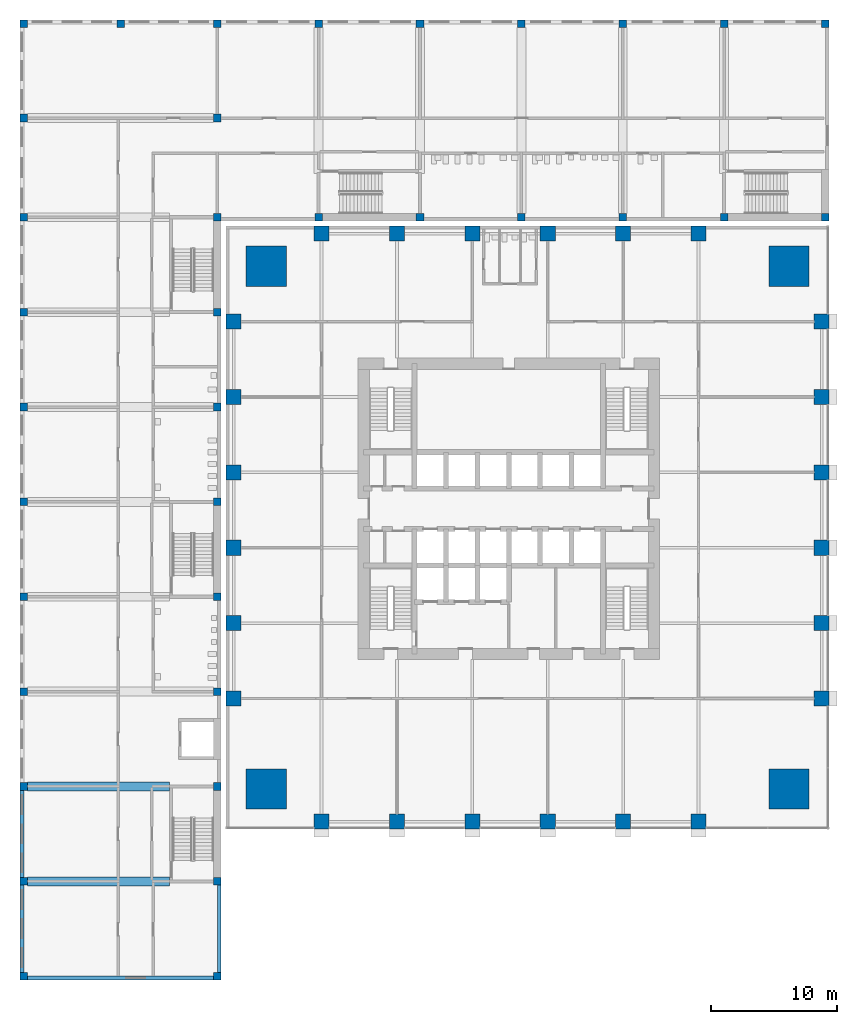
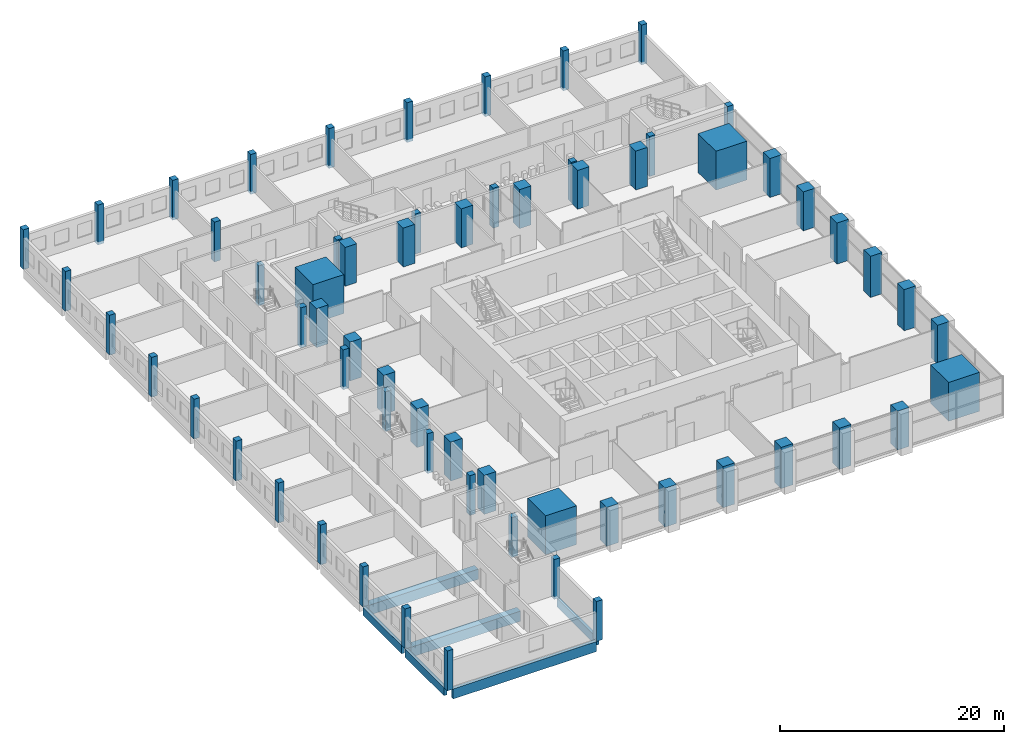
# One storey, part 1 of 24: 63 columns, 6 beams.
"""IFC4 building model written with IfcOpenShell, lengths in metres."""

from ifc_helpers import new_model, si_unit, direction, frame, origin, origin_2d, place, context, subcontext, project, spatial, rectangle, extrude, material, material_profile, profile_set, type_object, element, save


model = new_model("IFC4")

# Units and contexts
model_context = context("Model", 3, precision=1e-05, world=origin(), true_north=direction((0.0, 1.0)))
body_context = subcontext(model_context, "Body", "Model", "MODEL_VIEW")
ifc_project = project(units=[si_unit("LENGTHUNIT", "METRE"), si_unit("AREAUNIT", "SQUARE_METRE"), si_unit("VOLUMEUNIT", "CUBIC_METRE"), si_unit("PLANEANGLEUNIT", "RADIAN"), si_unit("MASSUNIT", "GRAM", prefix="KILO")], contexts=[model_context])

# Site, building, storey
site_placement = place(None, origin())
site = spatial("IfcSite", under=ifc_project, at=site_placement, CompositionType="ELEMENT")
building_placement = place(site_placement, origin())
building = spatial("IfcBuilding", under=site, at=building_placement, Name="Amberfall Residences", CompositionType="ELEMENT")
storey_placement = place(building_placement, frame((0.0, 0.0, 19.0)))
storey = spatial("IfcBuildingStorey", under=building, at=storey_placement, Name="L04", CompositionType="ELEMENT", Elevation=19.0)

# Columns
ifc_material_1 = material(Name="Concrete C80", Category="concrete")
ifc_material_profile_1 = material_profile(ifc_material_1, rectangle(XDim=1.199951171875, YDim=1.199951171875, at=origin_2d()), Name="Column 1200 x 1200 C80")
ifc_profile_set_1 = profile_set([ifc_material_profile_1], Name="Concrete C80")
column_type_1 = type_object("IfcColumnType", Name="Column 1200 x 1200 C80", PredefinedType="COLUMN", material=ifc_profile_set_1)
for number, where, z_axis, x_axis, name in (
    (1, (59.60009765625, 20.60009765625, 0.0), (0.0, 0.0, 1.0), (1.0, 0.0, 0.0), "Column C1 L04 S1"),
    (2, (65.60009765625, 20.60009765625, 0.0), (0.0, 0.0, 1.0), (1.0, 0.0, 0.0), "Column C1 L04 S2"),
):
    element("IfcColumn", number, at=place(storey_placement, frame(where, z_axis=z_axis, x_axis=x_axis)), inside=storey, type_object=column_type_1, Name=name, PredefinedType="COLUMN", context=body_context, shape_type="SweptSolid", body=[
        extrude(rectangle(XDim=1.199951171875, YDim=1.199951171875, at=origin_2d()), origin(), (0.0, 0.0, 1.0), 4.25),
    ])
for number, where, z_axis, x_axis, name in (
    (3, (71.60009765625, 20.60009765625, 0.0), (0.0, 0.0, 1.0), (1.0, 0.0, 0.0), "Column C1 L04 S3"),
    (4, (77.60009765625, 20.60009765625, 0.0), (0.0, 0.0, 1.0), (1.0, 0.0, 0.0), "Column C1 L04 S4"),
    (5, (83.60009765625, 20.60009765625, 0.0), (0.0, 0.0, 1.0), (1.0, 0.0, 0.0), "Column C1 L04 S5"),
):
    element("IfcColumn", number, at=place(storey_placement, frame(where, z_axis=z_axis, x_axis=x_axis)), inside=storey, type_object=column_type_1, Name=name, PredefinedType="COLUMN", context=body_context, shape_type="SweptSolid", body=[
        extrude(rectangle(XDim=1.199951171875, YDim=1.199951171875, at=origin_2d()), origin(), (0.0, 0.0, 1.0), 4.5),
    ])
for number, where, z_axis, x_axis, name in (
    (6, (89.60009765625, 20.60009765625, 0.0), (0.0, 0.0, 1.0), (1.0, 0.0, 0.0), "Column C1 L04 S6"),
    (7, (99.39990234375, 30.39990234375, 0.0), (0.0, 0.0, 1.0), (1.0, 0.0, 0.0), "Column C1 L04 E1"),
):
    element("IfcColumn", number, at=place(storey_placement, frame(where, z_axis=z_axis, x_axis=x_axis)), inside=storey, type_object=column_type_1, Name=name, PredefinedType="COLUMN", context=body_context, shape_type="SweptSolid", body=[
        extrude(rectangle(XDim=1.199951171875, YDim=1.199951171875, at=origin_2d()), origin(), (0.0, 0.0, 1.0), 4.25),
    ])
for number, where, z_axis, x_axis, name in (
    (8, (99.39990234375, 36.39990234375, 0.0), (0.0, 0.0, 1.0), (1.0, 0.0, 0.0), "Column C1 L04 E2"),
    (9, (99.39990234375, 42.39990234375, 0.0), (0.0, 0.0, 1.0), (1.0, 0.0, 0.0), "Column C1 L04 E3"),
    (10, (99.39990234375, 48.39990234375, 0.0), (0.0, 0.0, 1.0), (1.0, 0.0, 0.0), "Column C1 L04 E4"),
):
    element("IfcColumn", number, at=place(storey_placement, frame(where, z_axis=z_axis, x_axis=x_axis)), inside=storey, type_object=column_type_1, Name=name, PredefinedType="COLUMN", context=body_context, shape_type="SweptSolid", body=[
        extrude(rectangle(XDim=1.199951171875, YDim=1.199951171875, at=origin_2d()), origin(), (0.0, 0.0, 1.0), 4.5),
    ])
for number, where, z_axis, x_axis, name in (
    (11, (99.39990234375, 54.39990234375, 0.0), (0.0, 0.0, 1.0), (1.0, 0.0, 0.0), "Column C1 L04 E5"),
    (12, (99.39990234375, 60.39990234375, 0.0), (0.0, 0.0, 1.0), (1.0, 0.0, 0.0), "Column C1 L04 E6"),
    (13, (59.60009765625, 67.39990234375, 0.0), (0.0, 0.0, 1.0), (1.0, 0.0, 0.0), "Column C1 L04 N1"),
    (14, (65.60009765625, 67.39990234375, 0.0), (0.0, 0.0, 1.0), (1.0, 0.0, 0.0), "Column C1 L04 N2"),
    (15, (71.60009765625, 67.39990234375, 0.0), (0.0, 0.0, 1.0), (1.0, 0.0, 0.0), "Column C1 L04 N3"),
    (16, (77.60009765625, 67.39990234375, 0.0), (0.0, 0.0, 1.0), (1.0, 0.0, 0.0), "Column C1 L04 N4"),
    (17, (83.60009765625, 67.39990234375, 0.0), (0.0, 0.0, 1.0), (1.0, 0.0, 0.0), "Column C1 L04 N5"),
    (18, (89.60009765625, 67.39990234375, 0.0), (0.0, 0.0, 1.0), (1.0, 0.0, 0.0), "Column C1 L04 N6"),
    (19, (52.60009765625, 30.39990234375, 0.0), (0.0, 0.0, 1.0), (1.0, 0.0, 0.0), "Column C1 L04 W1"),
    (20, (52.60009765625, 36.39990234375, 0.0), (0.0, 0.0, 1.0), (1.0, 0.0, 0.0), "Column C1 L04 W2"),
    (21, (52.60009765625, 42.39990234375, 0.0), (0.0, 0.0, 1.0), (1.0, 0.0, 0.0), "Column C1 L04 W3"),
    (22, (52.60009765625, 48.39990234375, 0.0), (0.0, 0.0, 1.0), (1.0, 0.0, 0.0), "Column C1 L04 W4"),
    (23, (52.60009765625, 54.39990234375, 0.0), (0.0, 0.0, 1.0), (1.0, 0.0, 0.0), "Column C1 L04 W5"),
    (24, (52.60009765625, 60.39990234375, 0.0), (0.0, 0.0, 1.0), (1.0, 0.0, 0.0), "Column C1 L04 W6"),
):
    element("IfcColumn", number, at=place(storey_placement, frame(where, z_axis=z_axis, x_axis=x_axis)), inside=storey, type_object=column_type_1, Name=name, PredefinedType="COLUMN", context=body_context, shape_type="SweptSolid", body=[
        extrude(rectangle(XDim=1.199951171875, YDim=1.199951171875, at=origin_2d()), origin(), (0.0, 0.0, 1.0), 4.25),
    ])
ifc_material_profile_2 = material_profile(ifc_material_1, rectangle(XDim=3.199951171875, YDim=3.199951171875, at=origin_2d()), Name="Mega column 3200 x 3200 C80")
ifc_profile_set_2 = profile_set([ifc_material_profile_2], Name="Concrete C80")
column_type_2 = type_object("IfcColumnType", Name="Mega column 3200 x 3200 C80", PredefinedType="COLUMN", material=ifc_profile_set_2)
for number, where, z_axis, x_axis, name in (
    (25, (55.199951171875, 23.199951171875, 0.0), (0.0, 0.0, 1.0), (1.0, 0.0, 0.0), "Mega column MC1 L04 SW"),
    (26, (96.800048828125, 23.199951171875, 0.0), (0.0, 0.0, 1.0), (1.0, 0.0, 0.0), "Mega column MC1 L04 SE"),
    (27, (96.800048828125, 64.800048828125, 0.0), (0.0, 0.0, 1.0), (1.0, 0.0, 0.0), "Mega column MC1 L04 NE"),
    (28, (55.199951171875, 64.800048828125, 0.0), (0.0, 0.0, 1.0), (1.0, 0.0, 0.0), "Mega column MC1 L04 NW"),
):
    element("IfcColumn", number, at=place(storey_placement, frame(where, z_axis=z_axis, x_axis=x_axis)), inside=storey, type_object=column_type_2, Name=name, PredefinedType="COLUMN", context=body_context, shape_type="SweptSolid", body=[
        extrude(rectangle(XDim=3.199951171875, YDim=3.199951171875, at=origin_2d()), origin(), (0.0, 0.0, 1.0), 4.25),
    ])
ifc_material_2 = material(Name="Concrete C40", Category="concrete")
ifc_material_profile_3 = material_profile(ifc_material_2, rectangle(XDim=0.60009765625, YDim=0.60009765625, at=origin_2d()), Name="School column 600 x 600 C40")
ifc_profile_set_3 = profile_set([ifc_material_profile_3], Name="Concrete C40")
column_type_3 = type_object("IfcColumnType", Name="School column 600 x 600 C40", PredefinedType="COLUMN", material=ifc_profile_set_3)
for number, where, z_axis, x_axis, name in (
    (29, (35.89990234375, 8.300048828125, -0.300048828125), (0.0, 0.0, 1.0), (1.0, 0.0, 0.0), "School column L04 01"),
    (30, (51.300048828125, 8.300048828125, -0.300048828125), (0.0, 0.0, 1.0), (1.0, 0.0, 0.0), "School column L04 02"),
    (31, (35.89990234375, 15.85009765625, -0.300048828125), (0.0, 0.0, 1.0), (1.0, 0.0, 0.0), "School column L04 03"),
    (32, (51.300048828125, 15.85009765625, -0.300048828125), (0.0, 0.0, 1.0), (1.0, 0.0, 0.0), "School column L04 04"),
    (33, (35.89990234375, 23.39990234375, -0.300048828125), (0.0, 0.0, 1.0), (1.0, 0.0, 0.0), "School column L04 05"),
    (34, (51.300048828125, 23.39990234375, -0.300048828125), (0.0, 0.0, 1.0), (1.0, 0.0, 0.0), "School column L04 06"),
    (35, (35.89990234375, 30.949951171875, -0.300048828125), (0.0, 0.0, 1.0), (1.0, 0.0, 0.0), "School column L04 07"),
    (36, (51.300048828125, 30.949951171875, -0.300048828125), (0.0, 0.0, 1.0), (1.0, 0.0, 0.0), "School column L04 08"),
    (37, (35.89990234375, 38.5, -0.300048828125), (0.0, 0.0, 1.0), (1.0, 0.0, 0.0), "School column L04 09"),
    (38, (51.300048828125, 38.5, -0.300048828125), (0.0, 0.0, 1.0), (1.0, 0.0, 0.0), "School column L04 10"),
    (39, (35.89990234375, 46.050048828125, -0.300048828125), (0.0, 0.0, 1.0), (1.0, 0.0, 0.0), "School column L04 11"),
    (40, (51.300048828125, 46.050048828125, -0.300048828125), (0.0, 0.0, 1.0), (1.0, 0.0, 0.0), "School column L04 12"),
    (41, (35.89990234375, 53.60009765625, -0.300048828125), (0.0, 0.0, 1.0), (1.0, 0.0, 0.0), "School column L04 13"),
    (42, (51.300048828125, 53.60009765625, -0.300048828125), (0.0, 0.0, 1.0), (1.0, 0.0, 0.0), "School column L04 14"),
    (43, (35.89990234375, 61.14990234375, -0.300048828125), (0.0, 0.0, 1.0), (1.0, 0.0, 0.0), "School column L04 15"),
    (44, (51.300048828125, 61.14990234375, -0.300048828125), (0.0, 0.0, 1.0), (1.0, 0.0, 0.0), "School column L04 16"),
    (45, (35.89990234375, 68.699951171875, -0.300048828125), (0.0, 0.0, 1.0), (1.0, 0.0, 0.0), "School column L04 17"),
    (46, (51.300048828125, 68.699951171875, -0.300048828125), (0.0, 0.0, 1.0), (1.0, 0.0, 0.0), "School column L04 18"),
    (47, (35.89990234375, 76.60009765625, -0.300048828125), (0.0, 0.0, 1.0), (1.0, 0.0, 0.0), "School column L04 19"),
    (48, (51.300048828125, 76.60009765625, -0.300048828125), (0.0, 0.0, 1.0), (1.0, 0.0, 0.0), "School column L04 20"),
    (49, (35.89990234375, 84.10009765625, -0.300048828125), (0.0, 0.0, 1.0), (1.0, 0.0, 0.0), "School column L04 21"),
    (50, (51.300048828125, 84.10009765625, -0.300048828125), (0.0, 0.0, 1.0), (1.0, 0.0, 0.0), "School column L04 22"),
    (51, (43.60009765625, 84.10009765625, -0.300048828125), (0.0, 0.0, 1.0), (1.0, 0.0, 0.0), "School column L04 23"),
    (52, (59.366943359375, 84.10009765625, -0.300048828125), (0.0, 0.0, 1.0), (1.0, 0.0, 0.0), "School column L04 24"),
    (53, (59.366943359375, 68.699951171875, -0.300048828125), (0.0, 0.0, 1.0), (1.0, 0.0, 0.0), "School column L04 25"),
    (54, (67.43310546875, 84.10009765625, -0.300048828125), (0.0, 0.0, 1.0), (1.0, 0.0, 0.0), "School column L04 26"),
    (55, (67.43310546875, 68.699951171875, -0.300048828125), (0.0, 0.0, 1.0), (1.0, 0.0, 0.0), "School column L04 27"),
    (56, (75.5, 84.10009765625, -0.300048828125), (0.0, 0.0, 1.0), (1.0, 0.0, 0.0), "School column L04 28"),
    (57, (75.5, 68.699951171875, -0.300048828125), (0.0, 0.0, 1.0), (1.0, 0.0, 0.0), "School column L04 29"),
    (58, (83.56689453125, 84.10009765625, -0.300048828125), (0.0, 0.0, 1.0), (1.0, 0.0, 0.0), "School column L04 30"),
    (59, (83.56689453125, 68.699951171875, -0.300048828125), (0.0, 0.0, 1.0), (1.0, 0.0, 0.0), "School column L04 31"),
    (60, (91.633056640625, 84.10009765625, -0.300048828125), (0.0, 0.0, 1.0), (1.0, 0.0, 0.0), "School column L04 32"),
    (61, (91.633056640625, 68.699951171875, -0.300048828125), (0.0, 0.0, 1.0), (1.0, 0.0, 0.0), "School column L04 33"),
    (62, (99.699951171875, 84.10009765625, -0.300048828125), (0.0, 0.0, 1.0), (1.0, 0.0, 0.0), "School column L04 34"),
):
    element("IfcColumn", number, at=place(storey_placement, frame(where, z_axis=z_axis, x_axis=x_axis)), inside=storey, type_object=column_type_3, Name=name, PredefinedType="COLUMN", context=body_context, shape_type="SweptSolid", body=[
        extrude(rectangle(XDim=0.60009765625, YDim=0.60009765625, at=origin_2d()), origin(), (0.0, 0.0, 1.0), 4.35009765625),
    ])
column_placement = place(storey_placement, frame((99.699951171875, 68.699951171875, -0.300048828125), z_axis=(0.0, 0.0, 1.0), x_axis=(1.0, 0.0, 0.0)))
element("IfcColumn", 63, at=column_placement, inside=storey, type_object=column_type_3, Name="School column L04 35", PredefinedType="COLUMN", context=body_context, shape_type="SweptSolid", body=[
    extrude(rectangle(XDim=0.60009765625, YDim=0.60009765625, at=origin_2d()), origin(), (0.0, 0.0, 1.0), 4.800048828125),
])

# Beams
ifc_material_profile_4 = material_profile(ifc_material_2, rectangle(XDim=0.699951171875, YDim=1.10009765625, at=origin_2d()), Name="School beam 700 x 1100 C40")
ifc_profile_set_4 = profile_set([ifc_material_profile_4], Name="Concrete C40")
beam_type_1 = type_object("IfcBeamType", Name="School beam 700 x 1100 C40", PredefinedType="BEAM", material=ifc_profile_set_4)
for number, where, z_axis, x_axis, name in (
    (64, (36.199951171875, 15.85009765625, -0.85009765625), (1.0, 0.0, 0.0), (0.0, 1.0, 0.0), "TW1"),
    (65, (36.199951171875, 23.39990234375, -0.85009765625), (1.0, 0.0, 0.0), (0.0, 1.0, 0.0), "TW2"),
):
    element("IfcBeam", number, at=place(storey_placement, frame(where, z_axis=z_axis, x_axis=x_axis)), inside=storey, type_object=beam_type_1, Name=name, PredefinedType="BEAM", context=body_context, shape_type="SweptSolid", body=[
        extrude(rectangle(XDim=0.699951171875, YDim=1.10009765625, at=origin_2d()), origin(), (0.0, 0.0, 1.0), 11.300048828125),
    ])
ifc_material_profile_5 = material_profile(ifc_material_2, rectangle(XDim=0.300048828125, YDim=0.89990234375, at=origin_2d()), Name="School edge beam 300 x 900 C40")
ifc_profile_set_5 = profile_set([ifc_material_profile_5], Name="Concrete C40")
beam_type_2 = type_object("IfcBeamType", Name="School edge beam 300 x 900 C40", PredefinedType="BEAM", material=ifc_profile_set_5)
beam_1_placement = place(storey_placement, frame((35.75, 8.60009765625, -0.75), z_axis=(0.0, 1.0, 0.0), x_axis=(-1.0, 0.0, 0.0)))
element("IfcBeam", 66, at=beam_1_placement, inside=storey, type_object=beam_type_2, Name="GW0", PredefinedType="BEAM", context=body_context, shape_type="SweptSolid", body=[
    extrude(rectangle(XDim=0.300048828125, YDim=0.89990234375, at=origin_2d()), origin(), (0.0, 0.0, 1.0), 6.949951171875),
])
beam_2_placement = place(storey_placement, frame((35.75, 16.14990234375, -0.75), z_axis=(0.0, 1.0, 0.0), x_axis=(-1.0, 0.0, 0.0)))
element("IfcBeam", 67, at=beam_2_placement, inside=storey, type_object=beam_type_2, Name="GW1", PredefinedType="BEAM", context=body_context, shape_type="SweptSolid", body=[
    extrude(rectangle(XDim=0.300048828125, YDim=0.89990234375, at=origin_2d()), origin(), (0.0, 0.0, 1.0), 6.9501953125),
])
beam_3_placement = place(storey_placement, frame((51.449951171875, 8.60009765625, -0.75), z_axis=(0.0, 1.0, 0.0), x_axis=(-1.0, 0.0, 0.0)))
element("IfcBeam", 68, at=beam_3_placement, inside=storey, type_object=beam_type_2, Name="GE0", PredefinedType="BEAM", context=body_context, shape_type="SweptSolid", body=[
    extrude(rectangle(XDim=0.300048828125, YDim=0.89990234375, at=origin_2d()), origin(), (0.0, 0.0, 1.0), 6.949951171875),
])
ifc_material_profile_6 = material_profile(ifc_material_2, rectangle(XDim=0.300048828125, YDim=1.10009765625, at=origin_2d()), Name="School end beam 300 x 1100 C40")
ifc_profile_set_6 = profile_set([ifc_material_profile_6], Name="Concrete C40")
beam_type_3 = type_object("IfcBeamType", Name="School end beam 300 x 1100 C40", PredefinedType="BEAM", material=ifc_profile_set_6)
beam_4_placement = place(storey_placement, frame((36.199951171875, 8.14990234375, -0.85009765625), z_axis=(1.0, 0.0, 0.0), x_axis=(0.0, 1.0, 0.0)))
element("IfcBeam", 69, at=beam_4_placement, inside=storey, type_object=beam_type_3, Name="ES", PredefinedType="BEAM", context=body_context, shape_type="SweptSolid", body=[
    extrude(rectangle(XDim=0.300048828125, YDim=1.10009765625, at=origin_2d()), origin(), (0.0, 0.0, 1.0), 14.800048828125),
])

save(model, "model.ifc")
